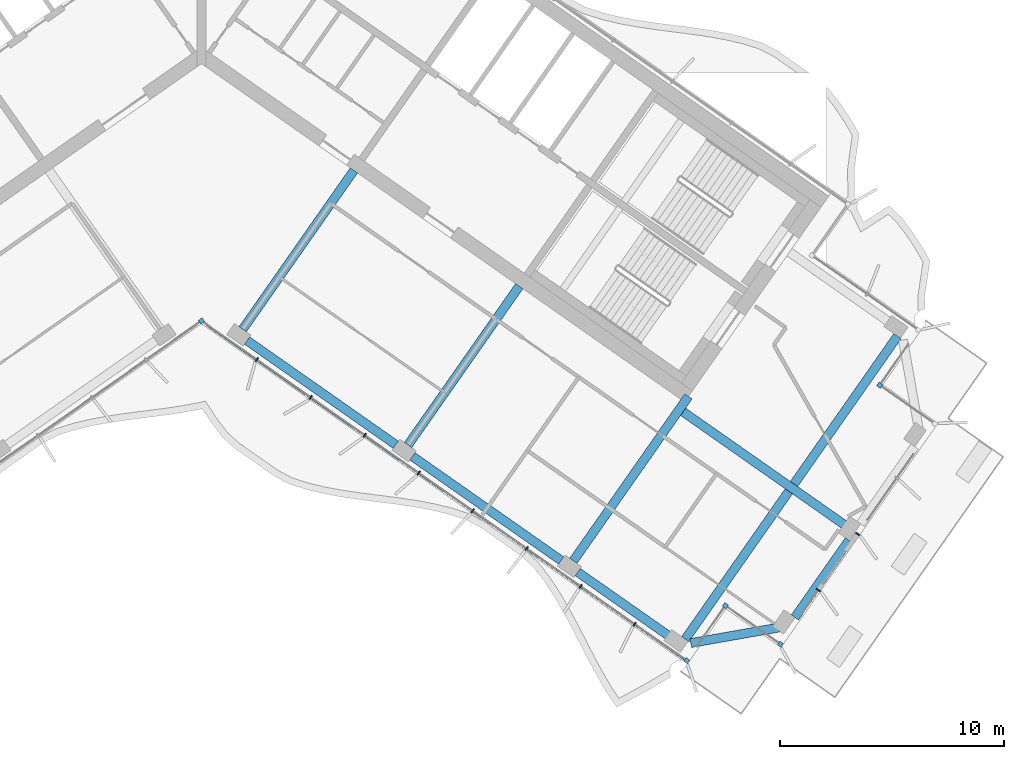
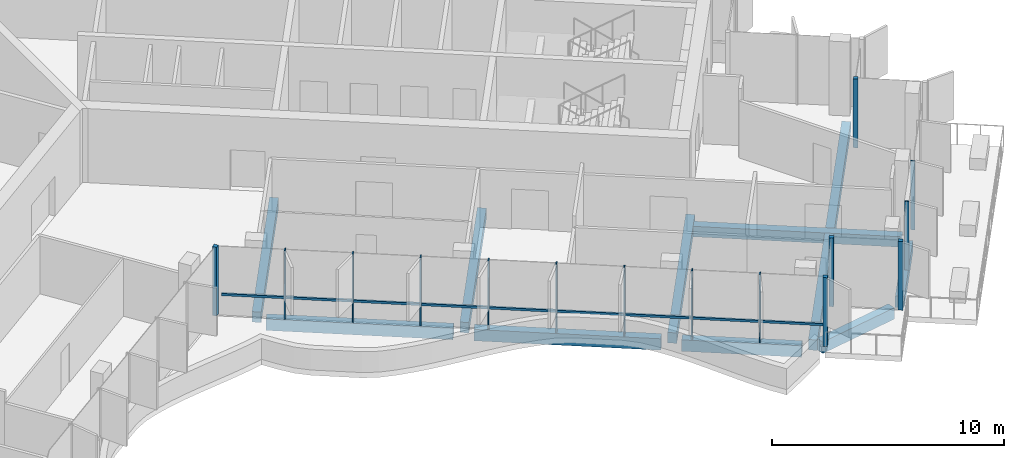
# One storey, part 4 of 21: 16 members, 10 beams, 3 elements without a shape of their own.
"""IFC4 building model written with IfcOpenShell, lengths in metres."""

from ifc_helpers import new_model, si_unit, direction, frame, origin, origin_2d, place, context, subcontext, project, spatial, rectangle, extrude, material, material_profile, profile_set, type_object, element, aggregate, save


model = new_model("IFC4")

# Units and contexts
model_context = context("Model", 3, precision=1e-05, world=origin(), true_north=direction((0.0, 1.0)))
body_context = subcontext(model_context, "Body", "Model", "MODEL_VIEW")
ifc_project = project(units=[si_unit("LENGTHUNIT", "METRE"), si_unit("AREAUNIT", "SQUARE_METRE"), si_unit("VOLUMEUNIT", "CUBIC_METRE"), si_unit("PLANEANGLEUNIT", "RADIAN"), si_unit("MASSUNIT", "GRAM", prefix="KILO")], contexts=[model_context])

# Site, building, storey
site_placement = place(None, origin())
site = spatial("IfcSite", under=ifc_project, at=site_placement, CompositionType="ELEMENT")
building_placement = place(site_placement, origin())
building = spatial("IfcBuilding", under=site, at=building_placement, Name="Tel Ilan Convention Tower", CompositionType="ELEMENT")
storey_placement = place(building_placement, frame((0.0, 0.0, 225.39990234375)))
storey = spatial("IfcBuildingStorey", under=building, at=storey_placement, Name="L52", CompositionType="ELEMENT", Elevation=225.39990234375)

# Beams
ifc_material_1 = material(Name="Concrete C40/50", Category="concrete")
ifc_material_profile_1 = material_profile(ifc_material_1, rectangle(XDim=0.39990234375, YDim=0.550048828125, at=origin_2d()), Name="RC 400x550")
ifc_profile_set_1 = profile_set([ifc_material_profile_1], Name="Concrete C40/50")
beam_type_1 = type_object("IfcBeamType", Name="Beam RC 400x550 Concrete C40/50", PredefinedType="BEAM", material=ifc_profile_set_1)
for number, where, z_axis, x_axis, name in (
    (1, (1.83740234375, -13.06689453125, -0.554931640625), (0.573574099654, 0.819153680457, 0.0), (-0.819153680457, 0.573574099654, 0.0), "L52 beam E-E-F1-core"),
    (2, (9.209716796875, -18.229248046875, -0.554931640625), (0.573574099654, 0.819153680457, 0.0), (-0.819153680457, 0.573574099654, 0.0), "L52 beam E-E-F2-core"),
):
    element("IfcBeam", number, at=place(storey_placement, frame(where, z_axis=z_axis, x_axis=x_axis)), inside=storey, type_object=beam_type_1, Name=name, PredefinedType="BEAM", context=body_context, shape_type="SweptSolid", body=[
        extrude(rectangle(XDim=0.39990234375, YDim=0.550048828125, at=origin_2d()), origin(), (0.0, 0.0, 1.0), 8.64990234375),
    ])
beam_1_placement = place(storey_placement, frame((16.58203125, -23.391357421875, -0.554931640625), z_axis=(0.573584999642, 0.819146048141, 0.0), x_axis=(-0.819146048141, 0.573584999642, 0.0)))
element("IfcBeam", 3, at=beam_1_placement, inside=storey, type_object=beam_type_1, Name="L52 beam E-E-F3-core", PredefinedType="BEAM", context=body_context, shape_type="SweptSolid", body=[
    extrude(rectangle(XDim=0.39990234375, YDim=0.550048828125, at=origin_2d()), origin(), (0.0, 0.0, 1.0), 8.949951171875),
])
beam_2_placement = place(storey_placement, frame((21.477783203125, -16.748046875, -0.554931640625), z_axis=(0.819149479048, -0.573580099878, 0.0), x_axis=(0.573580099878, 0.819149479048, 0.0)))
element("IfcBeam", 4, at=beam_2_placement, inside=storey, type_object=beam_type_1, Name="L52 beam E-core-end", PredefinedType="BEAM", context=body_context, shape_type="SweptSolid", body=[
    extrude(rectangle(XDim=0.39990234375, YDim=0.550048828125, at=origin_2d()), origin(), (0.0, 0.0, 1.0), 9.044189453125),
])
beam_3_placement = place(storey_placement, frame((21.573974609375, -26.88671875, -0.554931640625), z_axis=(0.573577531157, 0.819151277697, 0.0), x_axis=(-0.819151277697, 0.573577531157, 0.0)))
element("IfcBeam", 5, at=beam_3_placement, inside=storey, type_object=beam_type_1, Name="L52 beam E-E-FC-E-BC", PredefinedType="BEAM", context=body_context, shape_type="SweptSolid", body=[
    extrude(rectangle(XDim=0.39990234375, YDim=0.550048828125, at=origin_2d()), origin(), (0.0, 0.0, 1.0), 16.500244140625),
])
ifc_material_2 = material(Name="Concrete C40/50", Category="concrete")
ifc_material_profile_2 = material_profile(ifc_material_2, rectangle(XDim=0.39990234375, YDim=0.60009765625, at=origin_2d()), Name="RC 400x600")
ifc_profile_set_2 = profile_set([ifc_material_profile_2], Name="Concrete C40/50")
beam_type_2 = type_object("IfcBeamType", Name="Beam RC 400x600 Concrete C40/50", PredefinedType="BEAM", material=ifc_profile_set_2)
beam_4_placement = place(storey_placement, frame((2.033935546875, -13.57080078125, -0.579833984375), z_axis=(0.81914553362, -0.573585734437, 0.0), x_axis=(0.573585734437, 0.81914553362, 0.0)))
element("IfcBeam", 6, at=beam_4_placement, inside=storey, type_object=beam_type_2, Name="L52 beam E-E-F1-E-F2", PredefinedType="BEAM", context=body_context, shape_type="SweptSolid", body=[
    extrude(rectangle(XDim=0.39990234375, YDim=0.60009765625, at=origin_2d()), origin(), (0.0, 0.0, 1.0), 8.099853515625),
])
beam_5_placement = place(storey_placement, frame((9.40625, -18.73291015625, -0.579833984375), z_axis=(0.819155449703, -0.573571572885, 0.0), x_axis=(0.573571572885, 0.819155449703, 0.0)))
element("IfcBeam", 7, at=beam_5_placement, inside=storey, type_object=beam_type_2, Name="L52 beam E-E-F2-E-F3", PredefinedType="BEAM", context=body_context, shape_type="SweptSolid", body=[
    extrude(rectangle(XDim=0.39990234375, YDim=0.60009765625, at=origin_2d()), origin(), (0.0, 0.0, 1.0), 8.10009765625),
])
beam_6_placement = place(storey_placement, frame((16.778564453125, -23.895263671875, -0.579833984375), z_axis=(0.819141372108, -0.573591677503, 0.0), x_axis=(0.573591677503, 0.819141372108, 0.0)))
element("IfcBeam", 8, at=beam_6_placement, inside=storey, type_object=beam_type_2, Name="L52 beam E-E-F3-E-FC", PredefinedType="BEAM", context=body_context, shape_type="SweptSolid", body=[
    extrude(rectangle(XDim=0.39990234375, YDim=0.60009765625, at=origin_2d()), origin(), (0.0, 0.0, 1.0), 5.194091796875),
])
beam_7_placement = place(storey_placement, frame((21.81982421875, -27.058837890625, -0.579833984375), z_axis=(0.984804894423, 0.173664388751, 0.0), x_axis=(-0.173664388751, 0.984804894423, 0.0)))
element("IfcBeam", 9, at=beam_7_placement, inside=storey, type_object=beam_type_2, Name="L52 beam E-E-FC-E-E1", PredefinedType="BEAM", context=body_context, shape_type="SweptSolid", body=[
    extrude(rectangle(XDim=0.39990234375, YDim=0.60009765625, at=origin_2d()), origin(), (0.0, 0.0, 1.0), 4.030517578125),
])
beam_8_placement = place(storey_placement, frame((26.465087890625, -25.91650390625, -0.579833984375), z_axis=(0.573591086599, 0.819141785879, 0.0), x_axis=(-0.819141785879, 0.573591086599, 0.0)))
element("IfcBeam", 10, at=beam_8_placement, inside=storey, type_object=beam_type_2, Name="L52 beam E-E-E1-E-E2", PredefinedType="BEAM", context=body_context, shape_type="SweptSolid", body=[
    extrude(rectangle(XDim=0.39990234375, YDim=0.60009765625, at=origin_2d()), origin(), (0.0, 0.0, 1.0), 4.19970703125),
])

# Curtain wall, member
ifc_material_3 = material(Name="Aluminium, bronze anodised", Category="aluminium")
curtain_wall_type = type_object("IfcCurtainWallType", Name="CW5 STICK CURTAIN WALL, UPPER OFFICE LOW-IRON TINTED GLASS", PredefinedType="NOTDEFINED", material=ifc_material_3)
curtain_wall_1_placement = place(storey_placement, origin())
curtain_wall_1 = element("IfcCurtainWall", 11, at=curtain_wall_1_placement, inside=storey, type_object=curtain_wall_type, Name="Curtain wall CW5-41.02", PredefinedType="NOTDEFINED")
ifc_material_4 = material(Name="Aluminium, bronze anodised", Category="aluminium")
ifc_material_profile_3 = material_profile(ifc_material_4, rectangle(XDim=0.199951171875, YDim=0.199951171875, at=origin_2d()), Name="CW CORNER MULLION 200x200")
ifc_profile_set_3 = profile_set([ifc_material_profile_3], Name="Aluminium, bronze anodised")
member_type_1 = type_object("IfcMemberType", Name="CW CORNER MULLION 200x200", PredefinedType="MULLION", material=ifc_profile_set_3)
member_1_placement = place(storey_placement, frame((30.243896484375, -15.5615234375, 0.0), z_axis=(0.0, 0.0, 1.0), x_axis=(-0.819152044289, 0.573576436351, 0.0)))
member_1 = element("IfcMember", 12, at=member_1_placement, type_object=member_type_1, Name="Corner mullion", PredefinedType="MULLION", context=body_context, shape_type="SweptSolid", body=[
    extrude(rectangle(XDim=0.199951171875, YDim=0.199951171875, at=origin_2d()), origin(), (0.0, 0.0, 1.0), 3.6201171875),
])
aggregate(curtain_wall_1, [member_1])

# Curtain wall, members
curtain_wall_2_placement = place(storey_placement, origin())
curtain_wall_2 = element("IfcCurtainWall", 13, at=curtain_wall_2_placement, inside=storey, type_object=curtain_wall_type, Name="Curtain wall CW5-41.06", PredefinedType="NOTDEFINED")
member_2_placement = place(storey_placement, frame((0.0, -12.696044921875, 0.0), z_axis=(0.0, 0.0, 1.0), x_axis=(0.819152044289, 0.573576436351, 0.0)))
member_2 = element("IfcMember", 14, at=member_2_placement, type_object=member_type_1, Name="Corner mullion", PredefinedType="MULLION", context=body_context, shape_type="SweptSolid", body=[
    extrude(rectangle(XDim=0.199951171875, YDim=0.199951171875, at=origin_2d()), origin(), (0.0, 0.0, 1.0), 3.6201171875),
])
member_3_placement = place(storey_placement, frame((21.64013671875, -27.8486328125, 0.0), z_axis=(0.0, 0.0, 1.0), x_axis=(0.819152044289, -0.573576436351, 0.0)))
member_3 = element("IfcMember", 15, at=member_3_placement, type_object=member_type_1, Name="Corner mullion", PredefinedType="MULLION", context=body_context, shape_type="SweptSolid", body=[
    extrude(rectangle(XDim=0.199951171875, YDim=0.199951171875, at=origin_2d()), origin(), (0.0, 0.0, 1.0), 3.6201171875),
])
member_4_placement = place(storey_placement, frame((23.36083984375, -25.391357421875, 0.0), z_axis=(0.0, 0.0, 1.0), x_axis=(0.573576436351, 0.819152044289, 0.0)))
member_4 = element("IfcMember", 16, at=member_4_placement, type_object=member_type_1, Name="Corner mullion", PredefinedType="MULLION", context=body_context, shape_type="SweptSolid", body=[
    extrude(rectangle(XDim=0.199951171875, YDim=0.199951171875, at=origin_2d()), origin(), (0.0, 0.0, 1.0), 3.6201171875),
])
member_5_placement = place(storey_placement, frame((25.818359375, -27.112060546875, 0.0), z_axis=(0.0, 0.0, 1.0), x_axis=(0.819152044289, -0.573576436351, 0.0)))
member_5 = element("IfcMember", 17, at=member_5_placement, type_object=member_type_1, Name="Corner mullion", PredefinedType="MULLION", context=body_context, shape_type="SweptSolid", body=[
    extrude(rectangle(XDim=0.199951171875, YDim=0.199951171875, at=origin_2d()), origin(), (0.0, 0.0, 1.0), 3.6201171875),
])

curtain_wall_3_placement = place(storey_placement, origin())
curtain_wall_3 = element("IfcCurtainWall", 18, at=curtain_wall_3_placement, inside=storey, type_object=curtain_wall_type, Name="Curtain wall CW5-41.01", PredefinedType="NOTDEFINED")
ifc_material_5 = material(Name="Aluminium, bronze anodised", Category="aluminium")
ifc_material_profile_4 = material_profile(ifc_material_5, rectangle(XDim=0.06005859375, YDim=0.199951171875, at=origin_2d()), Name="CW MULLION 60x200")
ifc_profile_set_4 = profile_set([ifc_material_profile_4], Name="Aluminium, bronze anodised")
member_type_2 = type_object("IfcMemberType", Name="CW MULLION 60x200", PredefinedType="MULLION", material=ifc_profile_set_4)
member_6_placement = place(storey_placement, frame((27.510498046875, -24.695556640625, 0.0), z_axis=(0.0, 0.0, 1.0), x_axis=(0.573576436351, 0.819152044289, 0.0)))
member_6 = element("IfcMember", 19, at=member_6_placement, type_object=member_type_2, Name="Mullion", PredefinedType="MULLION", context=body_context, shape_type="SweptSolid", body=[
    extrude(rectangle(XDim=0.06005859375, YDim=0.199951171875, at=origin_2d()), origin(), (0.0, 0.0, 1.0), 3.6201171875),
])
member_7_placement = place(storey_placement, frame((29.259765625, -22.197021484375, 0.0), z_axis=(0.0, 0.0, 1.0), x_axis=(0.573576436351, 0.819152044289, 0.0)))
member_7 = element("IfcMember", 20, at=member_7_placement, type_object=member_type_2, Name="Mullion", PredefinedType="MULLION", context=body_context, shape_type="SweptSolid", body=[
    extrude(rectangle(XDim=0.06005859375, YDim=0.199951171875, at=origin_2d()), origin(), (0.0, 0.0, 1.0), 3.6201171875),
])
aggregate(curtain_wall_3, [member_6, member_7])

# Member
member_8_placement = place(storey_placement, frame((2.464599609375, -14.421875, 0.0), z_axis=(0.0, 0.0, 1.0), x_axis=(0.819152044289, -0.573576436351, 0.0)))
member_8 = element("IfcMember", 21, at=member_8_placement, type_object=member_type_2, Name="Mullion", PredefinedType="MULLION", context=body_context, shape_type="SweptSolid", body=[
    extrude(rectangle(XDim=0.06005859375, YDim=0.199951171875, at=origin_2d()), origin(), (0.0, 0.0, 1.0), 3.6201171875),
])

member_9_placement = place(storey_placement, frame((4.871826171875, -16.107177734375, 0.0), z_axis=(0.0, 0.0, 1.0), x_axis=(0.819152044289, -0.573576436351, 0.0)))
member_9 = element("IfcMember", 22, at=member_9_placement, type_object=member_type_2, Name="Mullion", PredefinedType="MULLION", context=body_context, shape_type="SweptSolid", body=[
    extrude(rectangle(XDim=0.06005859375, YDim=0.199951171875, at=origin_2d()), origin(), (0.0, 0.0, 1.0), 3.6201171875),
])

member_10_placement = place(storey_placement, frame((7.279052734375, -17.792724609375, 0.0), z_axis=(0.0, 0.0, 1.0), x_axis=(0.819152044289, -0.573576436351, 0.0)))
member_10 = element("IfcMember", 23, at=member_10_placement, type_object=member_type_2, Name="Mullion", PredefinedType="MULLION", context=body_context, shape_type="SweptSolid", body=[
    extrude(rectangle(XDim=0.06005859375, YDim=0.199951171875, at=origin_2d()), origin(), (0.0, 0.0, 1.0), 3.6201171875),
])

member_11_placement = place(storey_placement, frame((9.68603515625, -19.478271484375, 0.0), z_axis=(0.0, 0.0, 1.0), x_axis=(0.819152044289, -0.573576436351, 0.0)))
member_11 = element("IfcMember", 24, at=member_11_placement, type_object=member_type_2, Name="Mullion", PredefinedType="MULLION", context=body_context, shape_type="SweptSolid", body=[
    extrude(rectangle(XDim=0.06005859375, YDim=0.199951171875, at=origin_2d()), origin(), (0.0, 0.0, 1.0), 3.6201171875),
])

member_12_placement = place(storey_placement, frame((12.09326171875, -21.163818359375, 0.0), z_axis=(0.0, 0.0, 1.0), x_axis=(0.819152044289, -0.573576436351, 0.0)))
member_12 = element("IfcMember", 25, at=member_12_placement, type_object=member_type_2, Name="Mullion", PredefinedType="MULLION", context=body_context, shape_type="SweptSolid", body=[
    extrude(rectangle(XDim=0.06005859375, YDim=0.199951171875, at=origin_2d()), origin(), (0.0, 0.0, 1.0), 3.6201171875),
])

member_13_placement = place(storey_placement, frame((14.50048828125, -22.849365234375, 0.0), z_axis=(0.0, 0.0, 1.0), x_axis=(0.819152044289, -0.573576436351, 0.0)))
member_13 = element("IfcMember", 26, at=member_13_placement, type_object=member_type_2, Name="Mullion", PredefinedType="MULLION", context=body_context, shape_type="SweptSolid", body=[
    extrude(rectangle(XDim=0.06005859375, YDim=0.199951171875, at=origin_2d()), origin(), (0.0, 0.0, 1.0), 3.6201171875),
])

member_14_placement = place(storey_placement, frame((16.90771484375, -24.534912109375, 0.0), z_axis=(0.0, 0.0, 1.0), x_axis=(0.819152044289, -0.573576436351, 0.0)))
member_14 = element("IfcMember", 27, at=member_14_placement, type_object=member_type_2, Name="Mullion", PredefinedType="MULLION", context=body_context, shape_type="SweptSolid", body=[
    extrude(rectangle(XDim=0.06005859375, YDim=0.199951171875, at=origin_2d()), origin(), (0.0, 0.0, 1.0), 3.6201171875),
])

member_15_placement = place(storey_placement, frame((19.31494140625, -26.220458984375, 0.0), z_axis=(0.0, 0.0, 1.0), x_axis=(0.819152044289, -0.573576436351, 0.0)))
member_15 = element("IfcMember", 28, at=member_15_placement, type_object=member_type_2, Name="Mullion", PredefinedType="MULLION", context=body_context, shape_type="SweptSolid", body=[
    extrude(rectangle(XDim=0.06005859375, YDim=0.199951171875, at=origin_2d()), origin(), (0.0, 0.0, 1.0), 3.6201171875),
])

ifc_material_6 = material(Name="Aluminium, bronze anodised", Category="aluminium")
ifc_material_profile_5 = material_profile(ifc_material_6, rectangle(XDim=0.10009765625, YDim=0.1201171875, at=origin_2d()), Name="CW TRANSOM 100x120")
ifc_profile_set_5 = profile_set([ifc_material_profile_5], Name="Aluminium, bronze anodised")
member_type_3 = type_object("IfcMemberType", Name="CW TRANSOM 100x120", PredefinedType="USERDEFINED", material=ifc_profile_set_5)
member_16_placement = place(storey_placement, frame((0.22119140625, -12.850830078125, 1.10009765625), z_axis=(0.819152212587, -0.573576195996, 0.0), x_axis=(0.573576195996, 0.819152212587, 0.0)))
member_16 = element("IfcMember", 29, at=member_16_placement, type_object=member_type_3, Name="Transom", ObjectType="TRANSOM", PredefinedType="USERDEFINED", context=body_context, shape_type="SweptSolid", body=[
    extrude(rectangle(XDim=0.10009765625, YDim=0.1201171875, at=origin_2d()), origin(), (0.0, 0.0, 1.0), 26.0478515625),
])

aggregate(curtain_wall_2, [member_2, member_8, member_9, member_10, member_11, member_12, member_13, member_14, member_15, member_3, member_16, member_4, member_5])

save(model, "model.ifc")
